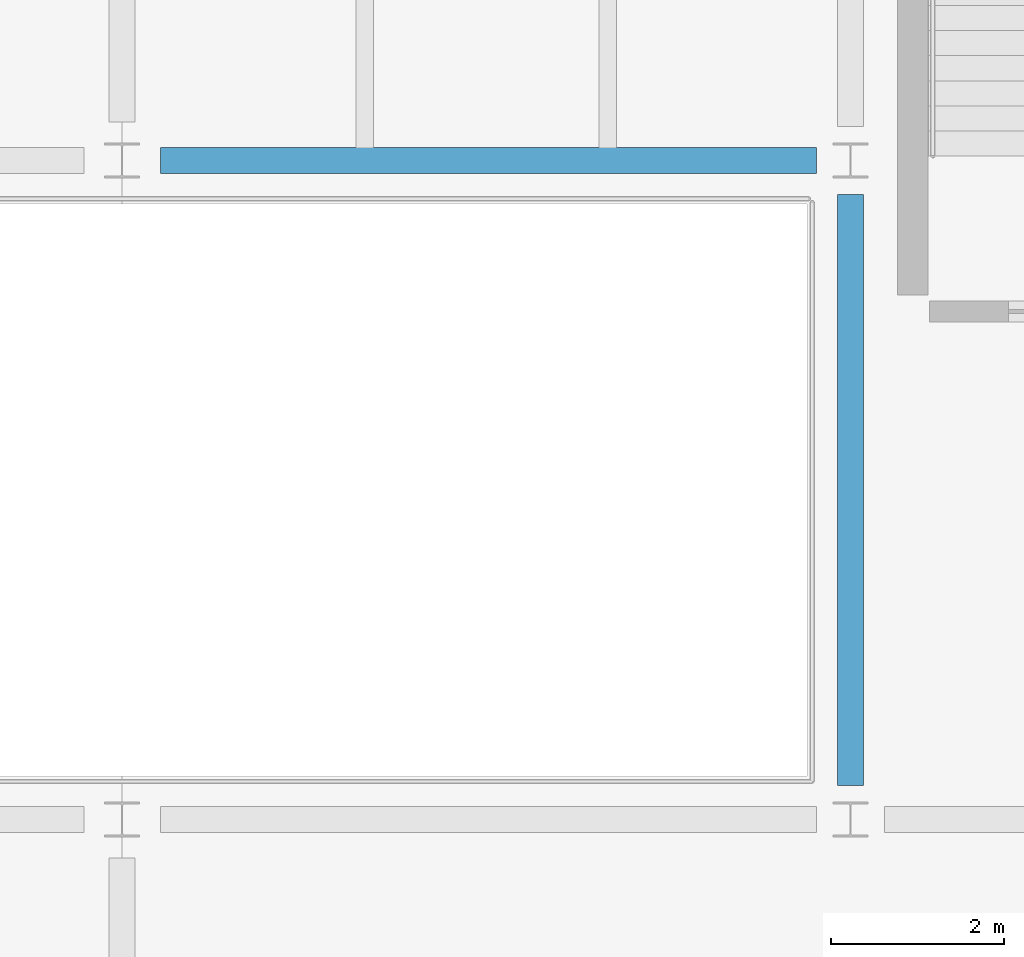
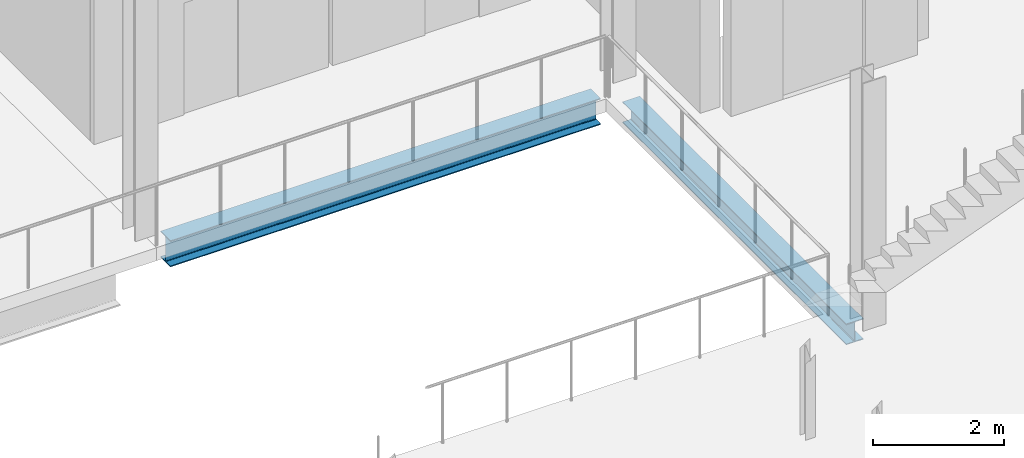
# One storey, part 67 of 172: 2 beams.
"""IFC4 building model written with IfcOpenShell, lengths in metres."""

from ifc_helpers import new_model, si_unit, direction, frame, origin, origin_2d, place, context, subcontext, project, spatial, i_section, extrude, material, material_profile, profile_set, type_object, element, save


model = new_model("IFC4")

# Units and contexts
model_context = context("Model", 3, precision=1e-05, world=origin(), true_north=direction((0.0, 1.0)))
body_context = subcontext(model_context, "Body", "Model", "MODEL_VIEW")
ifc_project = project(units=[si_unit("LENGTHUNIT", "METRE"), si_unit("AREAUNIT", "SQUARE_METRE"), si_unit("VOLUMEUNIT", "CUBIC_METRE"), si_unit("PLANEANGLEUNIT", "RADIAN"), si_unit("MASSUNIT", "GRAM", prefix="KILO")], contexts=[model_context])

# Site, building, storey
site_placement = place(None, origin())
site = spatial("IfcSite", under=ifc_project, at=site_placement, CompositionType="ELEMENT")
building_placement = place(site_placement, origin())
building = spatial("IfcBuilding", under=site, at=building_placement, Name="Shengluoqiao Park Theatre", CompositionType="ELEMENT")
storey_placement = place(building_placement, frame((0.0, 0.0, 5.39990234375)))
storey = spatial("IfcBuildingStorey", under=building, at=storey_placement, Name="L01", CompositionType="ELEMENT", Elevation=5.39990234375)

# Beams
ifc_material = material(Name="Steel Q355", Category="steel")
ifc_material_profile_1 = material_profile(ifc_material, i_section(OverallWidth=0.300048828125, OverallDepth=0.389892578125, WebThickness=0.010009765625, FlangeThickness=0.01611328125, FilletRadius=0.01806640625, at=origin_2d()), Name="HM 390x300x10x16")
ifc_profile_set_1 = profile_set([ifc_material_profile_1], Name="Steel Q355")
beam_type_1 = type_object("IfcBeamType", Name="STR-BM-G-HM390", PredefinedType="BEAM", material=ifc_profile_set_1)
beam_1_placement = place(storey_placement, frame((36.0, 61.194091796875, -0.434814453125), z_axis=(0.0, 1.0, 0.0), x_axis=(-1.0, 0.0, 0.0)))
element("IfcBeam", 1, at=beam_1_placement, inside=storey, type_object=beam_type_1, Name="L01 Transverse Girder 00489", PredefinedType="BEAM", context=body_context, shape_type="SweptSolid", body=[
    extrude(i_section(OverallWidth=0.300048828125, OverallDepth=0.389892578125, WebThickness=0.010009765625, FlangeThickness=0.01611328125, FilletRadius=0.01806640625, at=origin_2d()), origin(), (0.0, 0.0, 1.0), 6.81201171875),
])
ifc_material_profile_2 = material_profile(ifc_material, i_section(OverallWidth=0.300048828125, OverallDepth=0.488037109375, WebThickness=0.010986328125, FlangeThickness=0.01806640625, FilletRadius=0.02197265625, at=origin_2d()), Name="HM 488x300x11x18")
ifc_profile_set_2 = profile_set([ifc_material_profile_2], Name="Steel Q355")
beam_type_2 = type_object("IfcBeamType", Name="STR-BM-G-HM488", PredefinedType="BEAM", material=ifc_profile_set_2)
beam_2_placement = place(storey_placement, frame((28.0439453125, 68.39990234375, -0.48388671875), z_axis=(1.0, 0.0, 0.0), x_axis=(0.0, 1.0, 0.0)))
element("IfcBeam", 2, at=beam_2_placement, inside=storey, type_object=beam_type_2, Name="L01 Primary Girder 00486", PredefinedType="BEAM", context=body_context, shape_type="SweptSolid", body=[
    extrude(i_section(OverallWidth=0.300048828125, OverallDepth=0.488037109375, WebThickness=0.010986328125, FlangeThickness=0.01806640625, FilletRadius=0.02197265625, at=origin_2d()), origin(), (0.0, 0.0, 1.0), 7.56201171875),
])

save(model, "model.ifc")
